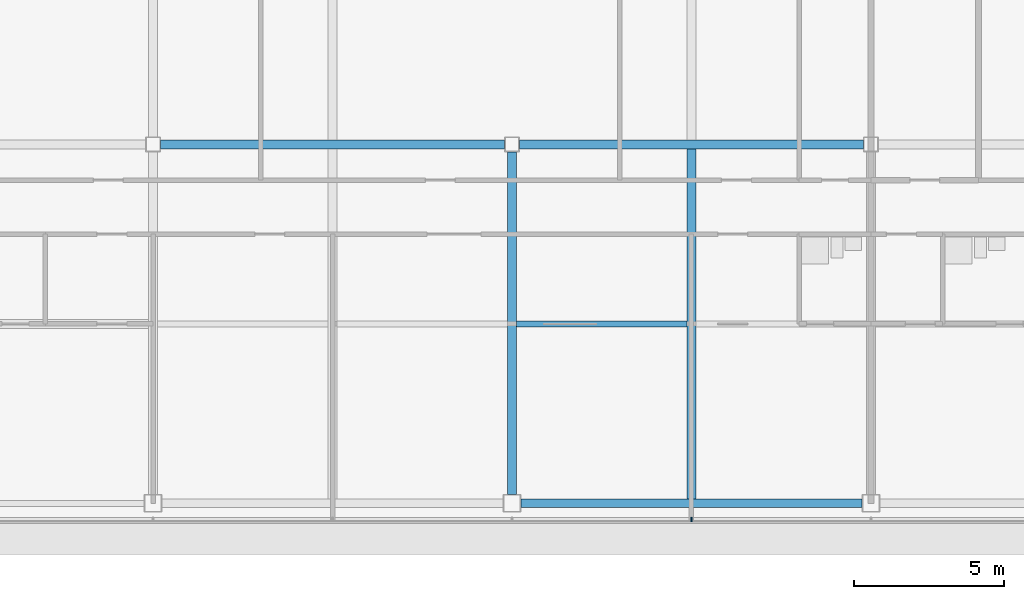
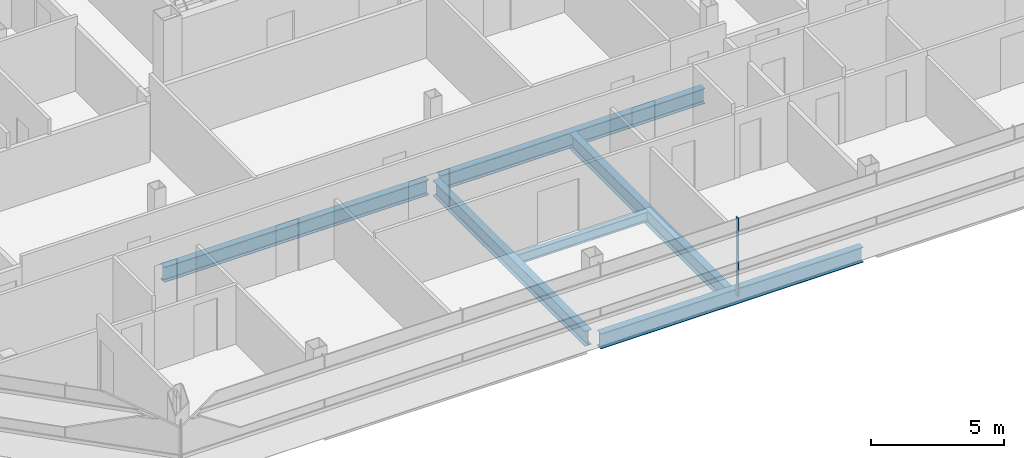
# One storey, part 4 of 28: 6 beams, 1 member, 1 element without a shape of its own.
"""IFC4 building model written with IfcOpenShell, lengths in metres."""

from ifc_helpers import new_model, si_unit, direction, frame, origin, origin_2d, place, context, subcontext, project, spatial, rectangle, i_section, extrude, material, material_profile, profile_set, type_object, element, aggregate, save


model = new_model("IFC4")

# Units and contexts
model_context = context("Model", 3, precision=1e-05, world=origin(), true_north=direction((0.0, 1.0)))
body_context = subcontext(model_context, "Body", "Model", "MODEL_VIEW")
ifc_project = project(units=[si_unit("LENGTHUNIT", "METRE"), si_unit("AREAUNIT", "SQUARE_METRE"), si_unit("VOLUMEUNIT", "CUBIC_METRE"), si_unit("PLANEANGLEUNIT", "RADIAN"), si_unit("MASSUNIT", "GRAM", prefix="KILO")], contexts=[model_context])

# Site, building, storey
site_placement = place(None, origin())
site = spatial("IfcSite", under=ifc_project, at=site_placement, CompositionType="ELEMENT")
building_placement = place(site_placement, origin())
building = spatial("IfcBuilding", under=site, at=building_placement, Name="Sorahane Residences", CompositionType="ELEMENT")
storey_placement = place(building_placement, frame((0.0, 0.0, 273.800048828125)))
storey = spatial("IfcBuildingStorey", under=building, at=storey_placement, Name="L65", CompositionType="ELEMENT", Elevation=273.800048828125)

# Curtain wall, member
ifc_material_1 = material(Name="Dark low-e glass and black anodised aluminium", Category="aluminium")
curtain_wall_type = type_object("IfcCurtainWallType", Name="Curtain wall CW-1 Typical unitised wall", PredefinedType="NOTDEFINED", material=ifc_material_1)
curtain_wall_placement = place(storey_placement, origin())
curtain_wall = element("IfcCurtainWall", 1, at=curtain_wall_placement, inside=storey, type_object=curtain_wall_type, Name="CW-1 curtain wall L65 S1", PredefinedType="NOTDEFINED")
ifc_material_2 = material(Name="Black anodised aluminium", Category="aluminium")
ifc_material_profile_1 = material_profile(ifc_material_2, rectangle(XDim=0.159912109375, YDim=0.050048828125, at=origin_2d()), Name="Curtain wall mullion CW-1 black anodised aluminium 50x160")
ifc_profile_set_1 = profile_set([ifc_material_profile_1], Name="Black anodised aluminium")
member_type = type_object("IfcMemberType", Name="Curtain wall mullion CW-1 black anodised aluminium 50x160", PredefinedType="MULLION", material=ifc_profile_set_1)
member_placement = place(storey_placement, frame((18.0, -0.5400390625, -0.179931640625), z_axis=(0.0, 0.0, 1.0), x_axis=(0.0, -1.0, 0.0)))
member = element("IfcMember", 2, at=member_placement, type_object=member_type, Name="CW-1 mullion L65 S1.5", PredefinedType="MULLION", context=body_context, shape_type="SweptSolid", body=[
    extrude(rectangle(XDim=0.159912109375, YDim=0.050048828125, at=origin_2d()), origin(), (0.0, 0.0, 1.0), 3.599853515625),
])
aggregate(curtain_wall, [member])

# Beams
ifc_material_3 = material(Name="Steel Q355B", Category="steel")
ifc_material_profile_2 = material_profile(ifc_material_3, i_section(OverallWidth=0.199951171875, OverallDepth=0.449951171875, WebThickness=0.009033203125, FlangeThickness=0.013916015625, FilletRadius=0.02001953125, at=origin_2d()), Name="HN 450x200x9x14")
ifc_profile_set_2 = profile_set([ifc_material_profile_2], Name="Steel Q355B")
beam_type_1 = type_object("IfcBeamType", Name="Steel floor beam HN 450x200x9x14 Q355B", PredefinedType="BEAM", material=ifc_profile_set_2)
beam_1_placement = place(storey_placement, frame((12.14990234375, 6.0, -0.405029296875), z_axis=(1.0, 0.0, 0.0), x_axis=(0.0, 1.0, 0.0)))
element("IfcBeam", 3, at=beam_1_placement, inside=storey, type_object=beam_type_1, Name="Beam L65 071", PredefinedType="BEAM", context=body_context, shape_type="SweptSolid", body=[
    extrude(i_section(OverallWidth=0.199951171875, OverallDepth=0.449951171875, WebThickness=0.009033203125, FlangeThickness=0.013916015625, FilletRadius=0.02001953125, at=origin_2d()), origin(), (0.0, 0.0, 1.0), 5.7001953125),
])
ifc_material_4 = material(Name="Steel Q355B", Category="steel")
ifc_material_profile_3 = material_profile(ifc_material_4, i_section(OverallWidth=0.300048828125, OverallDepth=0.699951171875, WebThickness=0.012939453125, FlangeThickness=0.02392578125, FilletRadius=0.028076171875, at=origin_2d()), Name="HN 700x300x13x24")
ifc_profile_set_3 = profile_set([ifc_material_profile_3], Name="Steel Q355B")
beam_type_2 = type_object("IfcBeamType", Name="Steel floor beam HN 700x300x13x24 Q355B", PredefinedType="BEAM", material=ifc_profile_set_3)
beam_2_placement = place(storey_placement, frame((12.300048828125, 0.0, -0.530029296875), z_axis=(1.0, 0.0, 0.0), x_axis=(0.0, 1.0, 0.0)))
element("IfcBeam", 4, at=beam_2_placement, inside=storey, type_object=beam_type_2, Name="Beam L65 002", PredefinedType="BEAM", context=body_context, shape_type="SweptSolid", body=[
    extrude(i_section(OverallWidth=0.300048828125, OverallDepth=0.699951171875, WebThickness=0.012939453125, FlangeThickness=0.02392578125, FilletRadius=0.028076171875, at=origin_2d()), origin(), (0.0, 0.0, 1.0), 11.39990234375),
])
for number, where, z_axis, x_axis, name in (
    (5, (0.25, 12.0, -0.530029296875), (1.0, 0.0, 0.0), (0.0, 1.0, 0.0), "Beam L65 006"),
    (6, (12.25, 12.0, -0.530029296875), (1.0, 0.0, 0.0), (0.0, 1.0, 0.0), "Beam L65 007"),
):
    element("IfcBeam", number, at=place(storey_placement, frame(where, z_axis=z_axis, x_axis=x_axis)), inside=storey, type_object=beam_type_2, Name=name, PredefinedType="BEAM", context=body_context, shape_type="SweptSolid", body=[
        extrude(i_section(OverallWidth=0.300048828125, OverallDepth=0.699951171875, WebThickness=0.012939453125, FlangeThickness=0.02392578125, FilletRadius=0.028076171875, at=origin_2d()), origin(), (0.0, 0.0, 1.0), 11.5),
    ])
beam_3_placement = place(storey_placement, frame((12.0, 0.300048828125, -0.530029296875), z_axis=(0.0, 1.0, 0.0), x_axis=(-1.0, 0.0, 0.0)))
element("IfcBeam", 7, at=beam_3_placement, inside=storey, type_object=beam_type_2, Name="Beam L65 034", PredefinedType="BEAM", context=body_context, shape_type="SweptSolid", body=[
    extrude(i_section(OverallWidth=0.300048828125, OverallDepth=0.699951171875, WebThickness=0.012939453125, FlangeThickness=0.02392578125, FilletRadius=0.028076171875, at=origin_2d()), origin(), (0.0, 0.0, 1.0), 11.449951171875),
])
beam_4_placement = place(storey_placement, frame((18.0, 0.14990234375, -0.530029296875), z_axis=(0.0, 1.0, 0.0), x_axis=(-1.0, 0.0, 0.0)))
element("IfcBeam", 8, at=beam_4_placement, inside=storey, type_object=beam_type_2, Name="Beam L65 036", PredefinedType="BEAM", context=body_context, shape_type="SweptSolid", body=[
    extrude(i_section(OverallWidth=0.300048828125, OverallDepth=0.699951171875, WebThickness=0.012939453125, FlangeThickness=0.02392578125, FilletRadius=0.028076171875, at=origin_2d()), origin(), (0.0, 0.0, 1.0), 11.7001953125),
])

save(model, "model.ifc")
